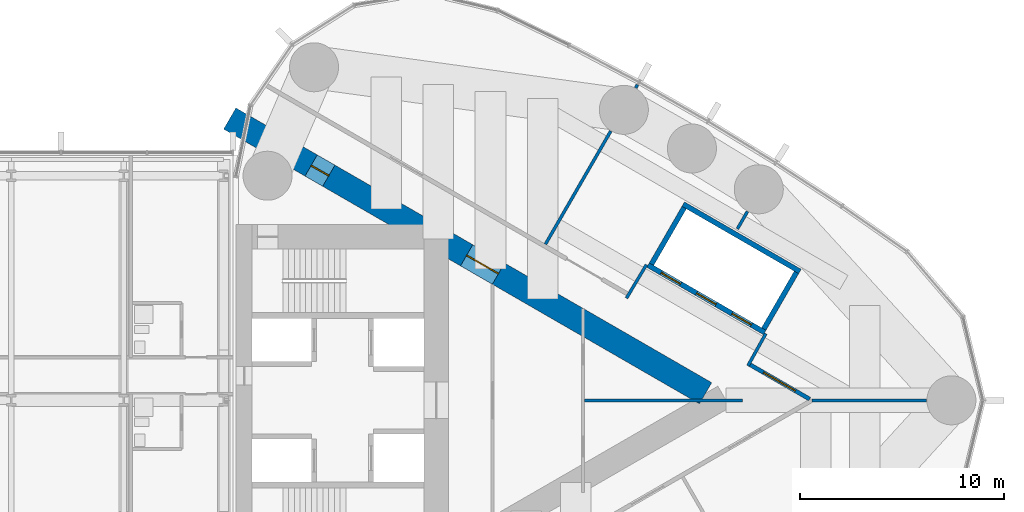
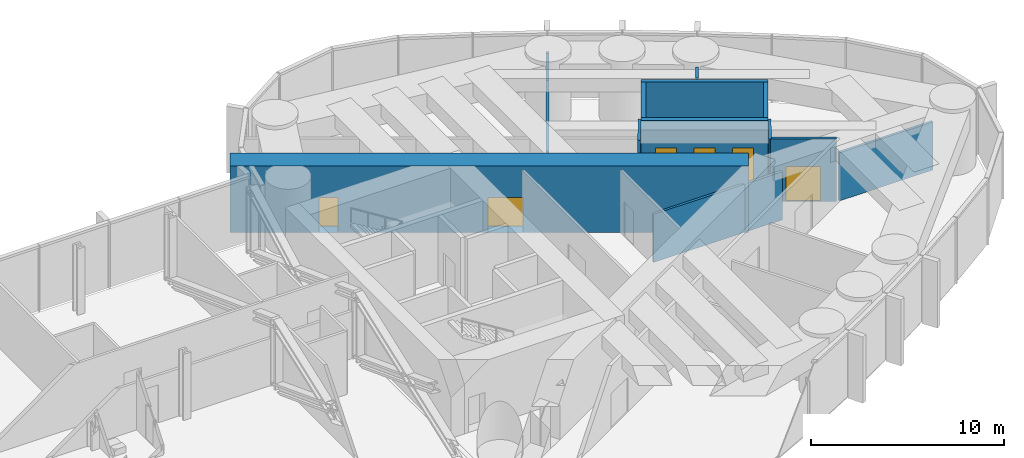
# One storey, part 20 of 23: 13 walls, 6 doors, 6 openings.
"""IFC4 building model written with IfcOpenShell, lengths in metres."""

from ifc_helpers import new_model, si_unit, direction, frame, frame_2d, origin, place, context, subcontext, project, spatial, rectangle, extrude, material, layer, layer_set, type_object, element, fill, save


model = new_model("IFC4")

# Units and contexts
model_context = context("Model", 3, precision=1e-05, world=origin(), true_north=direction((0.0, 1.0)))
body_context = subcontext(model_context, "Body", "Model", "MODEL_VIEW")
ifc_project = project(units=[si_unit("LENGTHUNIT", "METRE"), si_unit("AREAUNIT", "SQUARE_METRE"), si_unit("VOLUMEUNIT", "CUBIC_METRE"), si_unit("PLANEANGLEUNIT", "RADIAN"), si_unit("MASSUNIT", "GRAM", prefix="KILO")], contexts=[model_context])

# Site, building, storey
site_placement = place(None, origin())
site = spatial("IfcSite", under=ifc_project, at=site_placement, CompositionType="ELEMENT")
building_placement = place(site_placement, origin())
building = spatial("IfcBuilding", under=site, at=building_placement, Name="Lancet Gate Hotel", CompositionType="ELEMENT")
storey_placement = place(building_placement, frame((0.0, 0.0, 247.699951171875)))
storey = spatial("IfcBuildingStorey", under=building, at=storey_placement, Name="L66", CompositionType="ELEMENT", Elevation=247.699951171875)

# Wall, openings, doors
ifc_material_1 = material(Name="Concrete C70/85", Category="concrete")
ifc_layer_1 = layer(ifc_material_1, 1.199951171875)
ifc_layer_set_1 = layer_set([ifc_layer_1], Name="Buttress wall 1200")
wall_type_1 = type_object("IfcWallType", Name="Buttress wall 1200", PredefinedType="SHEAR", material=ifc_layer_set_1)
wall_1_placement = place(storey_placement, frame((27.199951171875, 13.800048828125, 0.0), z_axis=(0.0, 0.0, 1.0), x_axis=(0.866024515034, -0.500001539357, 0.0)))
wall_1 = element("IfcWall", 1, at=wall_1_placement, inside=storey, type_object=wall_type_1, Name="T2 buttress wall N L66", PredefinedType="SHEAR", context=body_context, shape_type="SweptSolid", body=[
    extrude(rectangle(XDim=26.9072265625, YDim=1.199951171875, at=frame_2d((13.45361328125, 0.0))), origin(), (0.0, 0.0, 1.0), 4.199951171875),
])
opening_1_placement = place(wall_1_placement, frame((4.60009765625, 0.0, 0.0)))
opening_1 = element("IfcOpeningElement", 2, at=opening_1_placement, cuts=wall_1, Name="Opening T2-L66-LN", PredefinedType="OPENING", context=body_context, shape_type="SweptSolid", body=[
    extrude(rectangle(XDim=1.0, YDim=2.199951171875, at=frame_2d((0.5, 1.10009765625))), frame((0.0, 0.60986328125, 0.0), z_axis=(0.0, -1.0, 0.0), x_axis=(1.0, 0.0, 0.0)), (0.0, 0.0, 1.0), 1.219970703125),
])
opening_2_placement = place(wall_1_placement, frame((13.39453125, 0.0, 0.0)))
opening_2 = element("IfcOpeningElement", 3, at=opening_2_placement, cuts=wall_1, Name="Opening T2-L66-LHN", PredefinedType="OPENING", context=body_context, shape_type="SweptSolid", body=[
    extrude(rectangle(XDim=1.800048828125, YDim=2.199951171875, at=frame_2d((0.89990234375, 1.10009765625))), frame((0.0, 0.60986328125, 0.0), z_axis=(0.0, -1.0, 0.0), x_axis=(1.0, 0.0, 0.0)), (0.0, 0.0, 1.0), 1.219970703125),
])
ifc_material_2 = material(Name="Timber door set", Category="wood")
door_type_1 = type_object("IfcDoorType", Name="Lobby double door 1800", OperationType="DOUBLE_DOOR_SINGLE_SWING", PredefinedType="DOOR", material=ifc_material_2)
door_1_placement = place(opening_2_placement, origin())
door_1 = element("IfcDoor", 4, at=door_1_placement, inside=storey, type_object=door_type_1, Name="T2-L66-LHN", OperationType="DOUBLE_DOOR_SINGLE_SWING", OverallHeight=2.199951171875, OverallWidth=1.800048828125, PredefinedType="DOOR", context=body_context, shape_type="SweptSolid", body=[
    extrude(rectangle(XDim=1.800048828125, YDim=2.199951171875, at=frame_2d((0.89990234375, 1.10009765625))), frame((0.0, 0.02490234375, 0.0), z_axis=(0.0, -1.0, 0.0), x_axis=(1.0, 0.0, 0.0)), (0.0, 0.0, 1.0), 0.050048828125),
])
fill(opening_2, door_1)
ifc_material_3 = material(Name="Timber door set", Category="wood")
door_type_2 = type_object("IfcDoorType", Name="Stair lobby door 1000", OperationType="SINGLE_SWING_LEFT", PredefinedType="DOOR", material=ifc_material_3)
door_2_placement = place(opening_1_placement, origin())
door_2 = element("IfcDoor", 5, at=door_2_placement, inside=storey, type_object=door_type_2, Name="T2-L66-LN", OperationType="SINGLE_SWING_LEFT", OverallHeight=2.199951171875, OverallWidth=1.0, PredefinedType="DOOR", context=body_context, shape_type="SweptSolid", body=[
    extrude(rectangle(XDim=1.0, YDim=2.199951171875, at=frame_2d((0.5, 1.10009765625))), frame((0.0, 0.02490234375, 0.0), z_axis=(0.0, -1.0, 0.0), x_axis=(1.0, 0.0, 0.0)), (0.0, 0.0, 1.0), 0.050048828125),
])
fill(opening_1, door_2)

# Wall, opening, door
ifc_material_4 = material(Name="Gypsum board partition")
ifc_layer_2 = layer(ifc_material_4, 0.199951171875)
ifc_layer_set_2 = layer_set([ifc_layer_2], Name="Corridor wall 200")
wall_type_2 = type_object("IfcWallType", Name="Corridor wall 200", PredefinedType="PARTITIONING", material=ifc_layer_set_2)
wall_2_placement = place(storey_placement, frame((52.63916015625, 1.7685546875, 0.0), z_axis=(0.0, 0.0, 1.0), x_axis=(0.866027340901, -0.4999966448, 0.0)))
wall_2 = element("IfcWall", 6, at=wall_2_placement, inside=storey, type_object=wall_type_2, Name="T2 corridor wall 200 L66", PredefinedType="PARTITIONING", context=body_context, shape_type="SweptSolid", body=[
    extrude(rectangle(XDim=3.4169921875, YDim=0.199951171875, at=frame_2d((1.70849609375, 0.0))), origin(), (0.0, 0.0, 1.0), 3.949951171875),
])
opening_3_placement = place(wall_2_placement, frame((0.80859375, 0.0, 0.0)))
opening_3 = element("IfcOpeningElement", 7, at=opening_3_placement, cuts=wall_2, Name="Opening T2-L66-DK05", PredefinedType="OPENING", context=body_context, shape_type="SweptSolid", body=[
    extrude(rectangle(XDim=1.800048828125, YDim=2.199951171875, at=frame_2d((0.89990234375, 1.10009765625))), frame((0.0, 0.10986328125, 0.0), z_axis=(0.0, -1.0, 0.0), x_axis=(1.0, 0.0, 0.0)), (0.0, 0.0, 1.0), 0.219970703125),
])
ifc_material_5 = material(Name="Timber door set", Category="wood")
door_type_3 = type_object("IfcDoorType", Name="Double door 1800", OperationType="DOUBLE_DOOR_SINGLE_SWING", PredefinedType="DOOR", material=ifc_material_5)
door_3_placement = place(opening_3_placement, origin())
door_3 = element("IfcDoor", 8, at=door_3_placement, inside=storey, type_object=door_type_3, Name="T2-L66-DK05", OperationType="DOUBLE_DOOR_SINGLE_SWING", OverallHeight=2.199951171875, OverallWidth=1.800048828125, PredefinedType="DOOR", context=body_context, shape_type="SweptSolid", body=[
    extrude(rectangle(XDim=1.800048828125, YDim=2.199951171875, at=frame_2d((0.89990234375, 1.10009765625))), frame((0.0, 0.02490234375, 0.0), z_axis=(0.0, -1.0, 0.0), x_axis=(1.0, 0.0, 0.0)), (0.0, 0.0, 1.0), 0.050048828125),
])
fill(opening_3, door_3)

# Wall, openings, doors
ifc_material_6 = material(Name="Gypsum board partition")
ifc_layer_3 = layer(ifc_material_6, 0.25)
ifc_layer_set_3 = layer_set([ifc_layer_3], Name="Lift shaft partition 250")
wall_type_3 = type_object("IfcWallType", Name="Lift shaft partition 250", PredefinedType="PARTITIONING", material=ifc_layer_set_3)
wall_3_placement = place(storey_placement, frame((47.681396484375, 6.622314453125, 0.0), z_axis=(0.0, 0.0, 1.0), x_axis=(0.86603344179, -0.499986077507, 0.0)))
wall_3 = element("IfcWall", 9, at=wall_3_placement, inside=storey, type_object=wall_type_3, Name="T2 lift shaft wall HL L66", PredefinedType="PARTITIONING", context=body_context, shape_type="SweptSolid", body=[
    extrude(rectangle(XDim=6.600341796875, YDim=0.25, at=frame_2d((3.30029296875, 0.0))), origin(), (0.0, 0.0, 1.0), 3.949951171875),
])
opening_4_placement = place(wall_3_placement, frame((0.75, 0.0, 0.0)))
opening_4 = element("IfcOpeningElement", 10, at=opening_4_placement, cuts=wall_3, Name="Opening T2-HL1-L66", PredefinedType="OPENING", context=body_context, shape_type="SweptSolid", body=[
    extrude(rectangle(XDim=1.10009765625, YDim=2.199951171875, at=frame_2d((0.550048828125, 1.10009765625))), frame((0.0, 0.135009765625, 0.0), z_axis=(0.0, -1.0, 0.0), x_axis=(1.0, 0.0, 0.0)), (0.0, 0.0, 1.0), 0.27001953125),
])
opening_5_placement = place(wall_3_placement, frame((2.75, 0.0, 0.0)))
opening_5 = element("IfcOpeningElement", 11, at=opening_5_placement, cuts=wall_3, Name="Opening T2-HL2-L66", PredefinedType="OPENING", context=body_context, shape_type="SweptSolid", body=[
    extrude(rectangle(XDim=1.10009765625, YDim=2.199951171875, at=frame_2d((0.550048828125, 1.10009765625))), frame((0.0, 0.135009765625, 0.0), z_axis=(0.0, -1.0, 0.0), x_axis=(1.0, 0.0, 0.0)), (0.0, 0.0, 1.0), 0.27001953125),
])
opening_6_placement = place(wall_3_placement, frame((4.75, 0.0, 0.0)))
opening_6 = element("IfcOpeningElement", 12, at=opening_6_placement, cuts=wall_3, Name="Opening T2-HL3-L66", PredefinedType="OPENING", context=body_context, shape_type="SweptSolid", body=[
    extrude(rectangle(XDim=1.10009765625, YDim=2.199951171875, at=frame_2d((0.550048828125, 1.10009765625))), frame((0.0, 0.135009765625, 0.0), z_axis=(0.0, -1.0, 0.0), x_axis=(1.0, 0.0, 0.0)), (0.0, 0.0, 1.0), 0.27001953125),
])
ifc_material_7 = material(Name="Steel door set", Category="steel")
door_type_4 = type_object("IfcDoorType", Name="Lift landing door 1100", OperationType="DOUBLE_DOOR_SLIDING", PredefinedType="USERDEFINED", material=ifc_material_7)
door_4_placement = place(opening_4_placement, origin())
door_4 = element("IfcDoor", 13, at=door_4_placement, inside=storey, type_object=door_type_4, Name="T2-HL1-L66", ObjectType="LIFT LANDING DOOR", OperationType="DOUBLE_DOOR_SLIDING", OverallHeight=2.199951171875, OverallWidth=1.10009765625, PredefinedType="USERDEFINED", context=body_context, shape_type="SweptSolid", body=[
    extrude(rectangle(XDim=1.10009765625, YDim=2.199951171875, at=frame_2d((0.550048828125, 1.10009765625))), frame((0.0, 0.02490234375, 0.0), z_axis=(0.0, -1.0, 0.0), x_axis=(1.0, 0.0, 0.0)), (0.0, 0.0, 1.0), 0.050048828125),
])
fill(opening_4, door_4)
door_5_placement = place(opening_5_placement, origin())
door_5 = element("IfcDoor", 14, at=door_5_placement, inside=storey, type_object=door_type_4, Name="T2-HL2-L66", ObjectType="LIFT LANDING DOOR", OperationType="DOUBLE_DOOR_SLIDING", OverallHeight=2.199951171875, OverallWidth=1.10009765625, PredefinedType="USERDEFINED", context=body_context, shape_type="SweptSolid", body=[
    extrude(rectangle(XDim=1.10009765625, YDim=2.199951171875, at=frame_2d((0.550048828125, 1.10009765625))), frame((0.0, 0.02490234375, 0.0), z_axis=(0.0, -1.0, 0.0), x_axis=(1.0, 0.0, 0.0)), (0.0, 0.0, 1.0), 0.050048828125),
])
fill(opening_5, door_5)
door_6_placement = place(opening_6_placement, origin())
door_6 = element("IfcDoor", 15, at=door_6_placement, inside=storey, type_object=door_type_4, Name="T2-HL3-L66", ObjectType="LIFT LANDING DOOR", OperationType="DOUBLE_DOOR_SLIDING", OverallHeight=2.199951171875, OverallWidth=1.10009765625, PredefinedType="USERDEFINED", context=body_context, shape_type="SweptSolid", body=[
    extrude(rectangle(XDim=1.10009765625, YDim=2.199951171875, at=frame_2d((0.550048828125, 1.10009765625))), frame((0.0, 0.02490234375, 0.0), z_axis=(0.0, -1.0, 0.0), x_axis=(1.0, 0.0, 0.0)), (0.0, 0.0, 1.0), 0.050048828125),
])
fill(opening_6, door_6)

# Walls
wall_4_placement = place(storey_placement, frame((49.406494140625, 9.61083984375, 0.0), z_axis=(0.0, 0.0, 1.0), x_axis=(0.86603344179, -0.499986077507, 0.0)))
element("IfcWall", 16, at=wall_4_placement, inside=storey, type_object=wall_type_3, Name="T2 lift shaft wall HL L66", PredefinedType="PARTITIONING", context=body_context, shape_type="SweptSolid", body=[
    extrude(rectangle(XDim=6.600341796875, YDim=0.25, at=frame_2d((3.30029296875, 0.0))), origin(), (0.0, 0.0, 1.0), 3.949951171875),
])
wall_5_placement = place(storey_placement, frame((47.852294921875, 6.66796875, 0.0), z_axis=(0.0, 0.0, 1.0), x_axis=(0.499929347863, 0.866066190972, 0.0)))
element("IfcWall", 17, at=wall_5_placement, inside=storey, type_object=wall_type_3, Name="T2 lift shaft wall HL L66", PredefinedType="PARTITIONING", context=body_context, shape_type="SweptSolid", body=[
    extrude(rectangle(XDim=3.20068359375, YDim=0.25, at=frame_2d((1.600341796875, 0.0))), origin(), (0.0, 0.0, 1.0), 3.949951171875),
])
wall_6_placement = place(storey_placement, frame((53.351806640625, 3.492919921875, 0.0), z_axis=(0.0, 0.0, 1.0), x_axis=(0.499872130319, 0.866099216793, 0.0)))
element("IfcWall", 18, at=wall_6_placement, inside=storey, type_object=wall_type_3, Name="T2 lift shaft wall HL L66", PredefinedType="PARTITIONING", context=body_context, shape_type="SweptSolid", body=[
    extrude(rectangle(XDim=3.200439453125, YDim=0.25, at=frame_2d((1.60009765625, 0.0))), origin(), (0.0, 0.0, 1.0), 3.949951171875),
])
ifc_material_8 = material(Name="Gypsum board partition")
ifc_layer_4 = layer(ifc_material_8, 0.14990234375)
ifc_layer_set_4 = layer_set([ifc_layer_4], Name="Party wall 150")
wall_type_4 = type_object("IfcWallType", Name="Party wall 150", PredefinedType="PARTITIONING", material=ifc_layer_set_4)
wall_7_placement = place(storey_placement, frame((42.65966796875, 7.6455078125, 0.0), z_axis=(0.0, 0.0, 1.0), x_axis=(0.499996592859, 0.866027370889, 0.0)))
element("IfcWall", 19, at=wall_7_placement, inside=storey, type_object=wall_type_4, Name="T2 party wall 150 L66", PredefinedType="PARTITIONING", context=body_context, shape_type="SweptSolid", body=[
    extrude(rectangle(XDim=6.3984375, YDim=0.14990234375, at=frame_2d((3.19921875, 0.0))), origin(), (0.0, 0.0, 1.0), 3.050048828125),
])
wall_8_placement = place(storey_placement, frame((47.078857421875, 15.2998046875, 0.0), z_axis=(0.0, 0.0, 1.0), x_axis=(0.499212083968, 0.866479829667, 0.0)))
element("IfcWall", 20, at=wall_8_placement, inside=storey, type_object=wall_type_4, Name="T2 party wall 150 L66", PredefinedType="PARTITIONING", context=body_context, shape_type="SweptSolid", body=[
    extrude(rectangle(XDim=0.179443359375, YDim=0.14990234375, at=frame_2d((0.08984375, 0.0))), origin(), (0.0, 0.0, 1.0), 3.050048828125),
])
wall_9_placement = place(storey_placement, frame((55.7021484375, 0.0, 0.0), z_axis=(0.0, 0.0, 1.0), x_axis=(1.0, 0.0, 0.0)))
element("IfcWall", 21, at=wall_9_placement, inside=storey, type_object=wall_type_4, Name="T2 party wall 150 L66", PredefinedType="PARTITIONING", context=body_context, shape_type="SweptSolid", body=[
    extrude(rectangle(XDim=5.619384765625, YDim=0.14990234375, at=frame_2d((2.8095703125, 0.0))), origin(), (0.0, 0.0, 1.0), 3.050048828125),
])
wall_10_placement = place(storey_placement, frame((52.060302734375, 8.396240234375, 0.0), z_axis=(0.0, 0.0, 1.0), x_axis=(0.500095379624, 0.865970329329, 0.0)))
element("IfcWall", 22, at=wall_10_placement, inside=storey, type_object=wall_type_4, Name="T2 party wall 150 L66", PredefinedType="PARTITIONING", context=body_context, shape_type="SweptSolid", body=[
    extrude(rectangle(XDim=0.982177734375, YDim=0.14990234375, at=frame_2d((0.4912109375, 0.0))), origin(), (0.0, 0.0, 1.0), 3.949951171875),
])
ifc_material_9 = material(Name="Gypsum board partition")
ifc_layer_5 = layer(ifc_material_9, 0.14990234375)
ifc_layer_set_5 = layer_set([ifc_layer_5], Name="Service room wall 150")
wall_type_5 = type_object("IfcWallType", Name="Service room wall 150", PredefinedType="PARTITIONING", material=ifc_layer_set_5)
wall_11_placement = place(storey_placement, frame((47.6064453125, 6.642333984375, 0.0), z_axis=(0.0, 0.0, 1.0), x_axis=(-0.51353662755, -0.858067673418, 0.0)))
element("IfcWall", 23, at=wall_11_placement, inside=storey, type_object=wall_type_5, Name="T2 service room wall 150 L66", PredefinedType="PARTITIONING", context=body_context, shape_type="SweptSolid", body=[
    extrude(rectangle(XDim=1.90966796875, YDim=0.14990234375, at=frame_2d((0.954833984375, 0.0))), origin(), (0.0, 0.0, 1.0), 3.949951171875),
])
wall_12_placement = place(storey_placement, frame((52.576171875, 1.689453125, 0.0), z_axis=(0.0, 0.0, 1.0), x_axis=(0.485482130951, 0.874246590229, 0.0)))
element("IfcWall", 24, at=wall_12_placement, inside=storey, type_object=wall_type_5, Name="T2 service room wall 150 L66", PredefinedType="PARTITIONING", context=body_context, shape_type="SweptSolid", body=[
    extrude(rectangle(XDim=1.804931640625, YDim=0.14990234375, at=frame_2d((0.90234375, 0.0))), origin(), (0.0, 0.0, 1.0), 3.949951171875),
])
wall_13_placement = place(storey_placement, frame((44.574951171875, 0.0, 0.0), z_axis=(0.0, 0.0, 1.0), x_axis=(1.0, 0.0, 0.0)))
element("IfcWall", 25, at=wall_13_placement, inside=storey, type_object=wall_type_5, Name="T2 service room wall 150 L66", PredefinedType="PARTITIONING", context=body_context, shape_type="SweptSolid", body=[
    extrude(rectangle(XDim=7.727294921875, YDim=0.14990234375, at=frame_2d((3.86376953125, 0.0))), origin(), (0.0, 0.0, 1.0), 3.050048828125),
])

save(model, "model.ifc")
